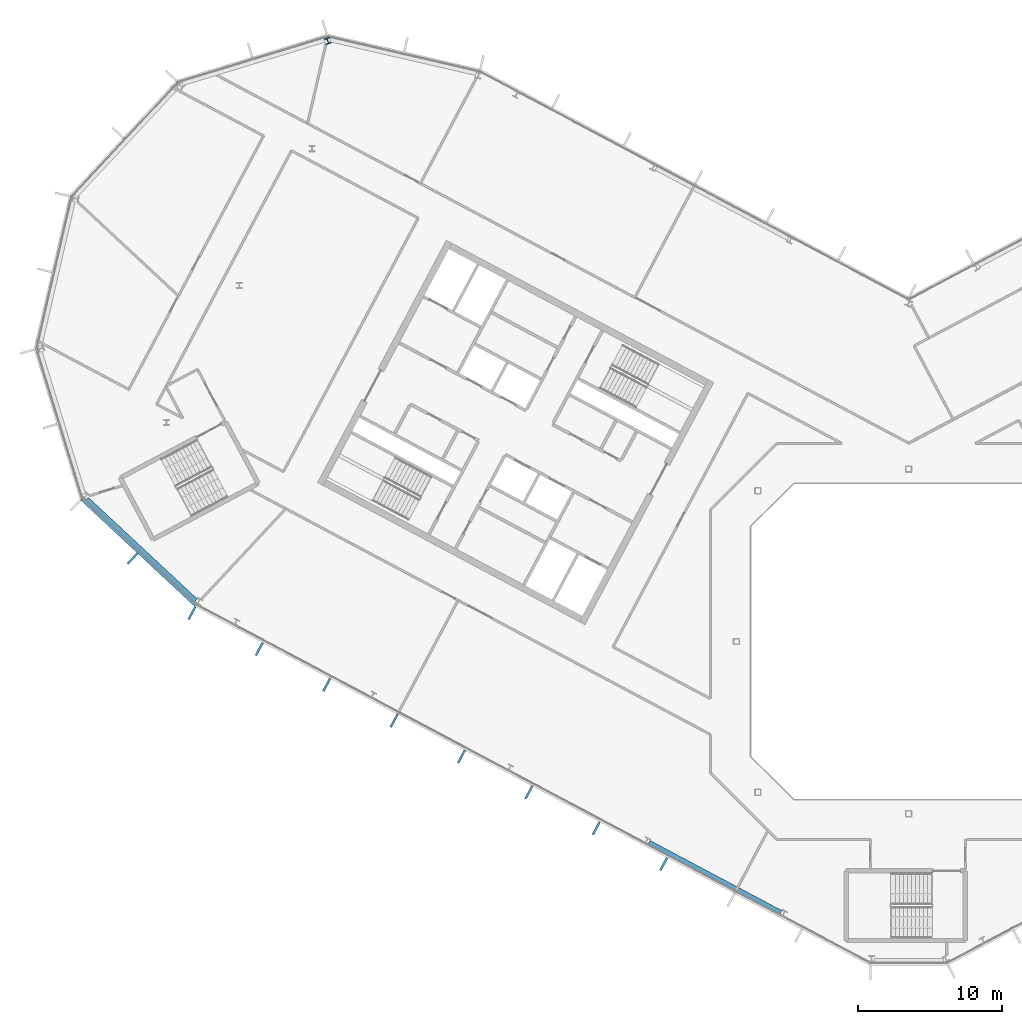
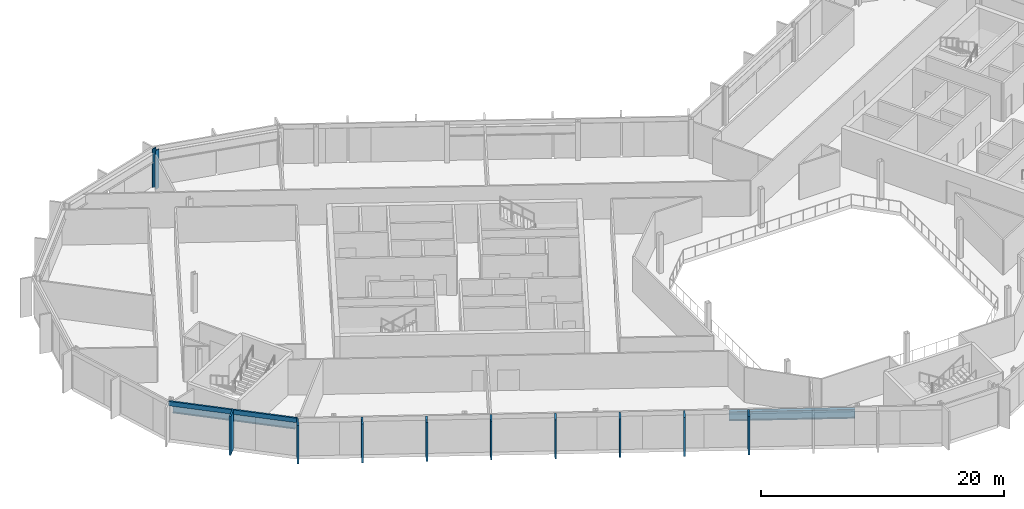
# One storey, part 8 of 25: 10 members, 2 beams, 1 column, 2 elements without a shape of their own.
"""IFC4 building model written with IfcOpenShell, lengths in metres."""

from ifc_helpers import new_model, si_unit, direction, frame, origin, origin_2d, place, context, subcontext, project, spatial, rectangle, i_section, extrude, material, layer, layer_set, material_profile, profile_set, type_object, element, aggregate, save


model = new_model("IFC4")

# Units and contexts
model_context = context("Model", 3, precision=1e-05, world=origin(), true_north=direction((0.0, 1.0)))
body_context = subcontext(model_context, "Body", "Model", "MODEL_VIEW")
ifc_project = project(units=[si_unit("LENGTHUNIT", "METRE"), si_unit("AREAUNIT", "SQUARE_METRE"), si_unit("VOLUMEUNIT", "CUBIC_METRE"), si_unit("PLANEANGLEUNIT", "RADIAN"), si_unit("MASSUNIT", "GRAM", prefix="KILO")], contexts=[model_context])

# Site, building, storey
site_placement = place(None, origin())
site = spatial("IfcSite", under=ifc_project, at=site_placement, CompositionType="ELEMENT")
building_placement = place(site_placement, origin())
building = spatial("IfcBuilding", under=site, at=building_placement, Name="Cormorant Relay Tower", CompositionType="ELEMENT")
storey_placement = place(building_placement, frame((0.0, 0.0, 281.39990234375)))
storey = spatial("IfcBuildingStorey", under=building, at=storey_placement, Name="L63", CompositionType="ELEMENT", Elevation=281.39990234375)

# Column
ifc_material_1 = material(Name="Steel ASTM A992 (Fy 345 MPa)", Category="steel")
ifc_material_profile_1 = material_profile(ifc_material_1, i_section(OverallWidth=0.40380859375, OverallDepth=0.406494140625, WebThickness=0.027099609375, FlangeThickness=0.043701171875, FilletRadius=0.01513671875, at=origin_2d()), Name="W360x347")
ifc_profile_set_1 = profile_set([ifc_material_profile_1], Name="Steel ASTM A992 (Fy 345 MPa)")
column_type = type_object("IfcColumnType", Name="Column W360x347", PredefinedType="COLUMN", material=ifc_profile_set_1)
column_placement = place(storey_placement, frame((-40.455078125, 41.823974609375, 0.0), z_axis=(0.0, 0.0, 1.0), x_axis=(-0.956304755963, -0.292371704723, 0.0)))
element("IfcColumn", 1, at=column_placement, inside=storey, type_object=column_type, Name="Column L63-043", PredefinedType="COLUMN", context=body_context, shape_type="SweptSolid", body=[
    extrude(i_section(OverallWidth=0.40380859375, OverallDepth=0.406494140625, WebThickness=0.027099609375, FlangeThickness=0.043701171875, FilletRadius=0.01513671875, at=origin_2d()), origin(), (0.0, 0.0, 1.0), 3.900146484375),
])

# Curtain wall, member
ifc_material_2 = material(Name="Aluminium 6063-T6 anodised bronze", Category="aluminium")
ifc_layer = layer(ifc_material_2, 0.199951171875)
ifc_layer_set = layer_set([ifc_layer], Name="CW1 unitised bronze curtain wall with vertical fins")
curtain_wall_type = type_object("IfcCurtainWallType", Name="CW1 unitised bronze curtain wall with vertical fins", PredefinedType="NOTDEFINED", material=ifc_layer_set)
curtain_wall_1_placement = place(storey_placement, origin())
curtain_wall_1 = element("IfcCurtainWall", 2, at=curtain_wall_1_placement, inside=storey, type_object=curtain_wall_type, Name="CW1 curtain wall 15", PredefinedType="NOTDEFINED")
ifc_material_3 = material(Name="Aluminium 6063-T6 anodised bronze", Category="aluminium")
ifc_material_profile_2 = material_profile(ifc_material_3, rectangle(XDim=0.14990234375, YDim=1.0, at=origin_2d()), Name="AL 150x1000")
ifc_profile_set_2 = profile_set([ifc_material_profile_2], Name="Aluminium 6063-T6 anodised bronze")
member_type_1 = type_object("IfcMemberType", Name="CW1 bronze fin mullion 150 x 1000", PredefinedType="MULLION", material=ifc_profile_set_2)
member_1_placement = place(storey_placement, frame((-54.0439453125, 5.779296875, 0.0), z_axis=(0.0, 0.0, 1.0), x_axis=(0.731353701619, -0.681998360062, 0.0)))
member_1 = element("IfcMember", 3, at=member_1_placement, type_object=member_type_1, Name="CW1 fin 15.2", PredefinedType="MULLION", context=body_context, shape_type="SweptSolid", body=[
    extrude(rectangle(XDim=0.14990234375, YDim=1.0, at=origin_2d()), origin(), (0.0, 0.0, 1.0), 3.900146484375),
])

# Curtain wall, members
curtain_wall_2_placement = place(storey_placement, origin())
curtain_wall_2 = element("IfcCurtainWall", 4, at=curtain_wall_2_placement, inside=storey, type_object=curtain_wall_type, Name="CW1 curtain wall 16", PredefinedType="NOTDEFINED")
member_2_placement = place(storey_placement, frame((-49.920166015625, 1.96630859375, 0.0), z_axis=(0.0, 0.0, 1.0), x_axis=(0.882947592859, -0.469471562786, 0.0)))
member_2 = element("IfcMember", 5, at=member_2_placement, type_object=member_type_1, Name="CW1 fin 16.1", PredefinedType="MULLION", context=body_context, shape_type="SweptSolid", body=[
    extrude(rectangle(XDim=0.14990234375, YDim=1.0, at=origin_2d()), origin(), (0.0, 0.0, 1.0), 3.900146484375),
])
member_3_placement = place(storey_placement, frame((-45.225830078125, -0.52978515625, 0.0), z_axis=(0.0, 0.0, 1.0), x_axis=(0.882947592859, -0.469471562786, 0.0)))
member_3 = element("IfcMember", 6, at=member_3_placement, type_object=member_type_1, Name="CW1 fin 16.2", PredefinedType="MULLION", context=body_context, shape_type="SweptSolid", body=[
    extrude(rectangle(XDim=0.14990234375, YDim=1.0, at=origin_2d()), origin(), (0.0, 0.0, 1.0), 3.900146484375),
])
member_4_placement = place(storey_placement, frame((-40.531494140625, -3.025634765625, 0.0), z_axis=(0.0, 0.0, 1.0), x_axis=(0.882947592859, -0.469471562786, 0.0)))
member_4 = element("IfcMember", 7, at=member_4_placement, type_object=member_type_1, Name="CW1 fin 16.3", PredefinedType="MULLION", context=body_context, shape_type="SweptSolid", body=[
    extrude(rectangle(XDim=0.14990234375, YDim=1.0, at=origin_2d()), origin(), (0.0, 0.0, 1.0), 3.900146484375),
])
member_5_placement = place(storey_placement, frame((-35.83740234375, -5.521728515625, 0.0), z_axis=(0.0, 0.0, 1.0), x_axis=(0.882947592859, -0.469471562786, 0.0)))
member_5 = element("IfcMember", 8, at=member_5_placement, type_object=member_type_1, Name="CW1 fin 16.4", PredefinedType="MULLION", context=body_context, shape_type="SweptSolid", body=[
    extrude(rectangle(XDim=0.14990234375, YDim=1.0, at=origin_2d()), origin(), (0.0, 0.0, 1.0), 3.900146484375),
])
member_6_placement = place(storey_placement, frame((-31.14306640625, -8.017578125, 0.0), z_axis=(0.0, 0.0, 1.0), x_axis=(0.882947592859, -0.469471562786, 0.0)))
member_6 = element("IfcMember", 9, at=member_6_placement, type_object=member_type_1, Name="CW1 fin 16.5", PredefinedType="MULLION", context=body_context, shape_type="SweptSolid", body=[
    extrude(rectangle(XDim=0.14990234375, YDim=1.0, at=origin_2d()), origin(), (0.0, 0.0, 1.0), 3.900146484375),
])
member_7_placement = place(storey_placement, frame((-26.44873046875, -10.513671875, 0.0), z_axis=(0.0, 0.0, 1.0), x_axis=(0.882947592859, -0.469471562786, 0.0)))
member_7 = element("IfcMember", 10, at=member_7_placement, type_object=member_type_1, Name="CW1 fin 16.6", PredefinedType="MULLION", context=body_context, shape_type="SweptSolid", body=[
    extrude(rectangle(XDim=0.14990234375, YDim=1.0, at=origin_2d()), origin(), (0.0, 0.0, 1.0), 3.900146484375),
])
member_8_placement = place(storey_placement, frame((-21.754638671875, -13.009765625, 0.0), z_axis=(0.0, 0.0, 1.0), x_axis=(0.882947592859, -0.469471562786, 0.0)))
member_8 = element("IfcMember", 11, at=member_8_placement, type_object=member_type_1, Name="CW1 fin 16.7", PredefinedType="MULLION", context=body_context, shape_type="SweptSolid", body=[
    extrude(rectangle(XDim=0.14990234375, YDim=1.0, at=origin_2d()), origin(), (0.0, 0.0, 1.0), 3.900146484375),
])
member_9_placement = place(storey_placement, frame((-17.060302734375, -15.505615234375, 0.0), z_axis=(0.0, 0.0, 1.0), x_axis=(0.882947592859, -0.469471562786, 0.0)))
member_9 = element("IfcMember", 12, at=member_9_placement, type_object=member_type_1, Name="CW1 fin 16.8", PredefinedType="MULLION", context=body_context, shape_type="SweptSolid", body=[
    extrude(rectangle(XDim=0.14990234375, YDim=1.0, at=origin_2d()), origin(), (0.0, 0.0, 1.0), 3.900146484375),
])
aggregate(curtain_wall_2, [member_2, member_3, member_4, member_5, member_6, member_7, member_8, member_9])

# Member
ifc_material_4 = material(Name="Aluminium 6063-T6 anodised bronze", Category="aluminium")
ifc_material_profile_3 = material_profile(ifc_material_4, rectangle(XDim=0.159912109375, YDim=0.449951171875, at=origin_2d()), Name="AL 160x450")
ifc_profile_set_3 = profile_set([ifc_material_profile_3], Name="Aluminium 6063-T6 anodised bronze")
member_type_2 = type_object("IfcMemberType", Name="CW1 bronze transom 160 x 450", PredefinedType="USERDEFINED", material=ifc_profile_set_3)
member_10_placement = place(storey_placement, frame((-57.62353515625, 9.91015625, 3.675048828125), z_axis=(0.731358420696, -0.681993299437, 0.0), x_axis=(0.681993299437, 0.731358420696, 0.0)))
member_10 = element("IfcMember", 13, at=member_10_placement, type_object=member_type_2, Name="CW1 transom 15", ObjectType="TRANSOM", PredefinedType="USERDEFINED", context=body_context, shape_type="SweptSolid", body=[
    extrude(rectangle(XDim=0.159912109375, YDim=0.449951171875, at=origin_2d()), origin(), (0.0, 0.0, 1.0), 10.870361328125),
])

aggregate(curtain_wall_1, [member_1, member_10])

# Beams
ifc_material_5 = material(Name="Steel ASTM A992 (Fy 345 MPa)", Category="steel")
ifc_material_profile_4 = material_profile(ifc_material_5, i_section(OverallWidth=0.307373046875, OverallDepth=0.927001953125, WebThickness=0.019287109375, FlangeThickness=0.031982421875, FilletRadius=0.01904296875, at=origin_2d()), Name="W920x289")
ifc_profile_set_4 = profile_set([ifc_material_profile_4], Name="Steel ASTM A992 (Fy 345 MPa)")
beam_type = type_object("IfcBeamType", Name="Spandrel W920x289", PredefinedType="SPANDREL", material=ifc_profile_set_4)
beam_1_placement = place(storey_placement, frame((-57.234619140625, 9.921630859375, 3.076416015625), z_axis=(0.731364191518, -0.681987110849, 0.0), x_axis=(0.681987110849, 0.731364191518, 0.0)))
element("IfcBeam", 14, at=beam_1_placement, inside=storey, type_object=beam_type, Name="Spandrel beam L63-015", PredefinedType="SPANDREL", context=body_context, shape_type="SweptSolid", body=[
    extrude(i_section(OverallWidth=0.307373046875, OverallDepth=0.927001953125, WebThickness=0.019287109375, FlangeThickness=0.031982421875, FilletRadius=0.01904296875, at=origin_2d()), origin(), (0.0, 0.0, 1.0), 10.37841796875),
])
beam_2_placement = place(storey_placement, frame((-18.0869140625, -13.992919921875, 3.076416015625), z_axis=(0.882946088703, -0.469474391681, 0.0), x_axis=(0.469474391681, 0.882946088703, 0.0)))
element("IfcBeam", 15, at=beam_2_placement, inside=storey, type_object=beam_type, Name="Spandrel beam L63-016", PredefinedType="SPANDREL", context=body_context, shape_type="SweptSolid", body=[
    extrude(i_section(OverallWidth=0.307373046875, OverallDepth=0.927001953125, WebThickness=0.019287109375, FlangeThickness=0.031982421875, FilletRadius=0.01904296875, at=origin_2d()), origin(), (0.0, 0.0, 1.0), 10.401611328125),
])

save(model, "model.ifc")
